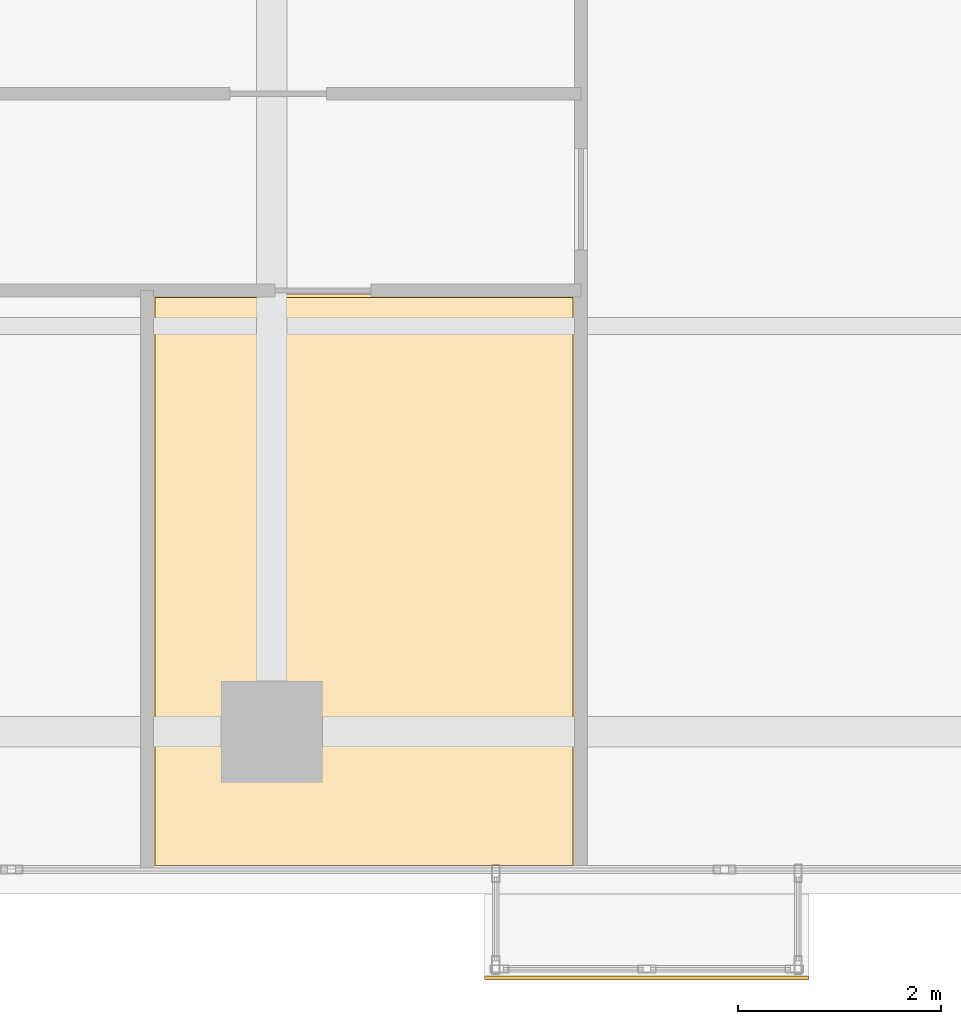
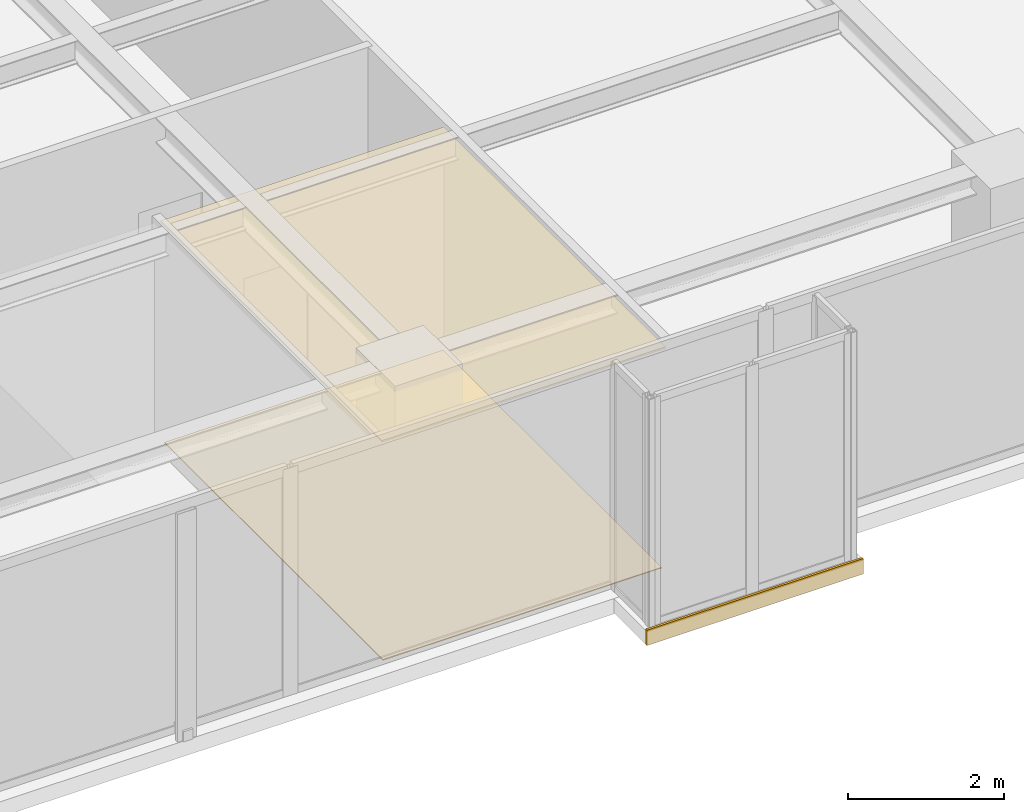
# One storey, part 22 of 23: 3 coverings.
"""IFC4 building model written with IfcOpenShell, lengths in metres."""

from ifc_helpers import new_model, si_unit, direction, frame, origin, origin_2d, place, context, subcontext, project, spatial, polyline, rectangle, outline, extrude, material, layer, layer_set, type_object, element, save


model = new_model("IFC4")

# Units and contexts
model_context = context("Model", 3, precision=1e-05, world=origin(), true_north=direction((0.0, 1.0)))
body_context = subcontext(model_context, "Body", "Model", "MODEL_VIEW")
ifc_project = project(units=[si_unit("LENGTHUNIT", "METRE"), si_unit("AREAUNIT", "SQUARE_METRE"), si_unit("VOLUMEUNIT", "CUBIC_METRE"), si_unit("PLANEANGLEUNIT", "RADIAN"), si_unit("MASSUNIT", "GRAM", prefix="KILO")], contexts=[model_context])

# Site, building, storey
site_placement = place(None, origin())
site = spatial("IfcSite", under=ifc_project, at=site_placement, CompositionType="ELEMENT")
building_placement = place(site_placement, origin())
building = spatial("IfcBuilding", under=site, at=building_placement, Name="Kolvaren Waterfront Exchange", CompositionType="ELEMENT")
storey_placement = place(building_placement, frame((0.0, 0.0, 227.300048828125)))
storey = spatial("IfcBuildingStorey", under=building, at=storey_placement, Name="L58", CompositionType="ELEMENT", Elevation=227.300048828125)

# Coverings
ifc_material_1 = material(Name="Mineral fibre acoustic ceiling tile")
ifc_layer_1 = layer(ifc_material_1, 0.02490234375, Name="Mineral fibre acoustic ceiling tile")
ifc_layer_set_1 = layer_set([ifc_layer_1], Name="Mineral fibre acoustic ceiling tile")
covering_type_1 = type_object("IfcCoveringType", Name="ARC-CEIL-ACOUSTIC-25", PredefinedType="CEILING", material=ifc_layer_set_1)
covering_1_placement = place(storey_placement, frame((0.0, 0.0, 3.445068359375)))
element("IfcCovering", 1, at=covering_1_placement, inside=storey, type_object=covering_type_1, Name="L58 acoustic suspended ceiling 3", PredefinedType="CEILING", context=body_context, shape_type="SweptSolid", body=[
    extrude(outline(polyline([(39.804931640625, 3.844970703125), (39.804931640625, 9.514892578125), (35.614990234375, 9.514892578125), (35.614990234375, 3.844970703125), (39.804931640625, 3.844970703125)])), origin(), (0.0, 0.0, 1.0), 0.02490234375),
])
ifc_material_2 = material(Name="Anodised bronze fascia aluminium", Category="aluminium")
ifc_layer_2 = layer(ifc_material_2, 0.034912109375, Name="Anodised bronze fascia aluminium")
ifc_layer_set_2 = layer_set([ifc_layer_2], Name="Anodised bronze fascia aluminium")
covering_type_2 = type_object("IfcCoveringType", Name="ARC-CLAD-BRONZE-35", PredefinedType="CLADDING", material=ifc_layer_set_2)
covering_2_placement = place(storey_placement, frame((40.5, 2.77001953125, -0.22021484375), z_axis=(0.0, 0.0, 1.0), x_axis=(1.0, 0.0, 0.0)))
element("IfcCovering", 2, at=covering_2_placement, inside=storey, type_object=covering_type_2, Name="L58 ribbed anodised bronze bay-box fascia", PredefinedType="CLADDING", context=body_context, shape_type="SweptSolid", body=[
    extrude(rectangle(XDim=3.199951171875, YDim=0.034912109375, at=origin_2d()), origin(), (0.0, 0.0, 1.0), 0.239990234375),
])
ifc_material_3 = material(Name="Slip-resistant porcelain tile")
ifc_layer_3 = layer(ifc_material_3, 0.014892578125, Name="Slip-resistant porcelain tile")
ifc_layer_set_3 = layer_set([ifc_layer_3], Name="Slip-resistant porcelain tile")
covering_type_3 = type_object("IfcCoveringType", Name="ARC-FLR-PORC-15", PredefinedType="FLOORING", material=ifc_layer_set_3)
covering_3_placement = place(storey_placement, origin())
element("IfcCovering", 3, at=covering_3_placement, inside=storey, type_object=covering_type_3, Name="L58 floor finish 3", PredefinedType="FLOORING", context=body_context, shape_type="SweptSolid", body=[
    extrude(outline(polyline([(35.64990234375, 9.47998046875), (35.64990234375, 3.8798828125), (39.77001953125, 3.8798828125), (39.77001953125, 9.47998046875), (35.64990234375, 9.47998046875)])), origin(), (0.0, 0.0, 1.0), 0.014892578125),
])

save(model, "model.ifc")
